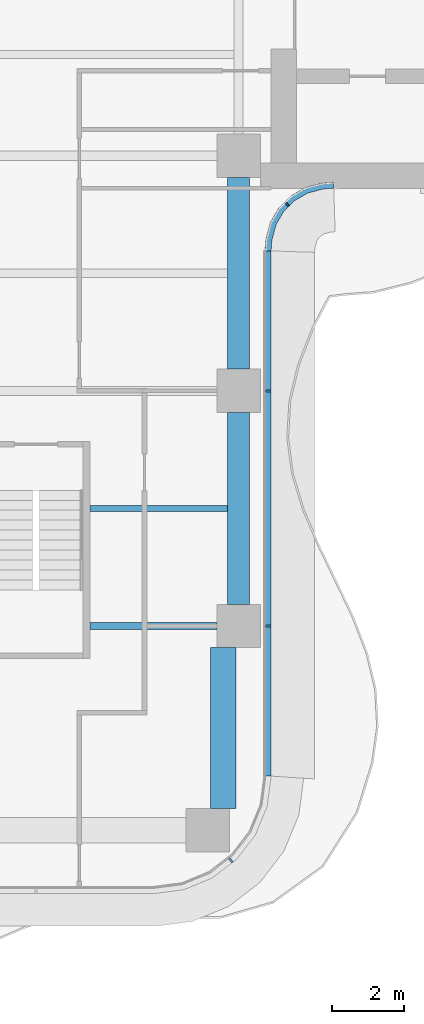
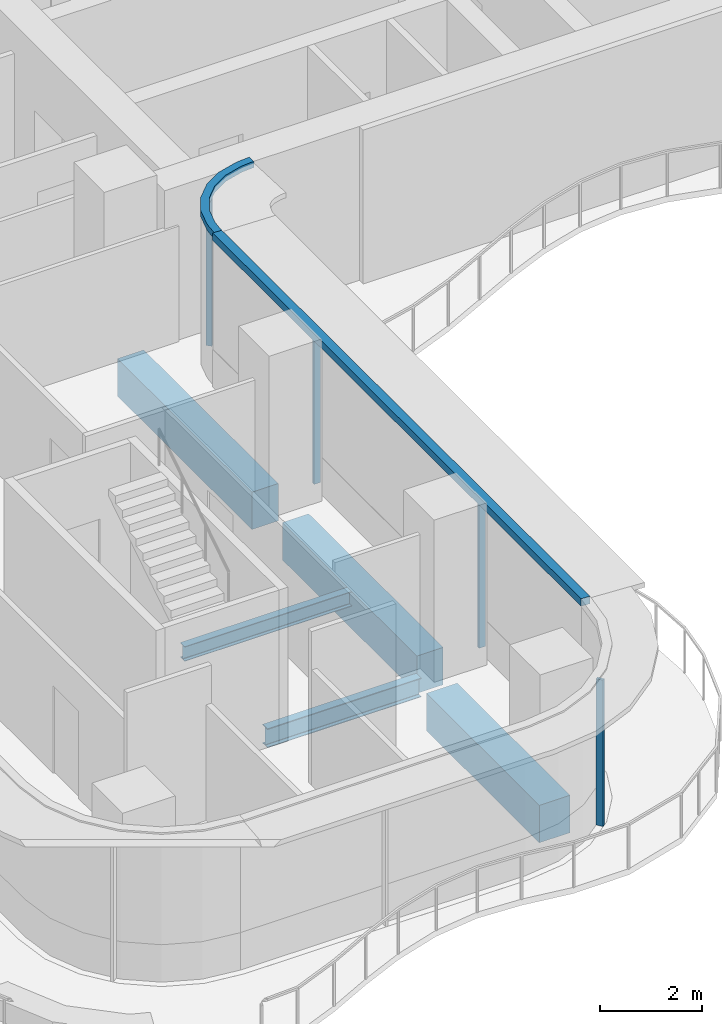
# One storey, part 5 of 17: 6 members, 5 beams, 3 elements without a shape of their own.
"""IFC4 building model written with IfcOpenShell, lengths in metres."""

import ifcopenshell
import ifcopenshell.guid

model = None  # the IFC model being written
_history = None  # IfcOwnerHistory: only IFC2X3 demands one
_inside = {}  # id of a spatial element -> (the spatial element, [elements in it])
_under = {}  # id of a project, library or spatial element -> (it, [spatial elements below it])
_declared = {}  # id of a project -> (the project, [libraries it declares])
_typed = {}  # id of a type object -> (the type object, [elements of that type])
_made_of = {}  # id of a material, layer set ... -> (it, [elements and type objects made of it])


def new_model(schema):
    """Start an empty IFC model of exactly this schema.

    Asked for "IFC4X3", IfcOpenShell would pick the latest addendum, in which some entities
    have other attributes; the version numbers below select the first issue.
    IFC2X3 requires an IfcOwnerHistory on every rooted entity: one is made here for all.
    """
    global model, _history
    if schema == "IFC4X3":
        model = ifcopenshell.file(schema_version=(4, 3, 0, 0))
    else:
        model = ifcopenshell.file(schema=schema)
    _inside.clear()
    _under.clear()
    _declared.clear()
    _typed.clear()
    _made_of.clear()
    _history = None
    if model.schema == "IFC2X3":
        org = make("IfcOrganization", Name="unknown")
        user = make(
            "IfcPersonAndOrganization",
            ThePerson=make("IfcPerson", FamilyName="unknown"),
            TheOrganization=org,
        )
        app = make(
            "IfcApplication",
            ApplicationDeveloper=org,
            Version="unknown",
            ApplicationFullName="unknown",
            ApplicationIdentifier="unknown",
        )
        _history = make(
            "IfcOwnerHistory",
            OwningUser=user,
            OwningApplication=app,
            ChangeAction="ADDED",
            CreationDate=0,
        )
    return model


def make(cls, **values):
    """One entity of the class cls with the attributes given. An attribute that is None is left unset."""
    return model.create_entity(
        cls, **{name: value for name, value in values.items() if value is not None}
    )


def rooted(cls, **values):
    """An entity with a GlobalId (a new one), such as an element, a storey or a relation."""
    return make(cls, GlobalId=ifcopenshell.guid.new(), OwnerHistory=_history, **values)


def si_unit(unit_type, name, prefix=None):
    """IfcSIUnit, for example si_unit("LENGTHUNIT", "METRE", prefix="MILLI")."""
    return make("IfcSIUnit", UnitType=unit_type, Prefix=prefix, Name=name)


def assignment(units):
    """IfcUnitAssignment: the units of a project."""
    return None if units is None else make("IfcUnitAssignment", Units=units)


def point(xyz):
    """IfcCartesianPoint."""
    return None if xyz is None else make("IfcCartesianPoint", Coordinates=xyz)


def direction(xyz):
    """IfcDirection."""
    return None if xyz is None else make("IfcDirection", DirectionRatios=xyz)


def frame(location, z_axis=None, x_axis=None):
    """IfcAxis2Placement3D, a coordinate frame: its origin and axes. An axis left out is left unset."""
    return make(
        "IfcAxis2Placement3D",
        Location=point(location),
        Axis=direction(z_axis),
        RefDirection=direction(x_axis),
    )


def frame_2d(location, x_axis=None):
    """IfcAxis2Placement2D, a coordinate frame in the plane: its origin and x axis."""
    return make(
        "IfcAxis2Placement2D", Location=point(location), RefDirection=direction(x_axis)
    )


def origin():
    """The frame at (0, 0, 0) with its axes left unset."""
    return frame((0.0, 0.0, 0.0))


def origin_2d():
    """The frame at (0, 0) in the plane with its x axis left unset."""
    return frame_2d((0.0, 0.0))


def place(relative_to, where):
    """IfcLocalPlacement: puts the frame where relative to a parent placement (None: the world)."""
    return make(
        "IfcLocalPlacement", PlacementRelTo=relative_to, RelativePlacement=where
    )


def context(
    kind, dimensions, precision=None, world=None, true_north=None, identifier=None
):
    """IfcGeometricRepresentationContext, for example the 3D "Model" context."""
    return make(
        "IfcGeometricRepresentationContext",
        ContextIdentifier=identifier,
        ContextType=kind,
        CoordinateSpaceDimension=dimensions,
        Precision=precision,
        WorldCoordinateSystem=world,
        TrueNorth=true_north,
    )


def subcontext(parent, identifier, kind, view, scale=None):
    """IfcGeometricRepresentationSubContext, for example "Body" below "Model"."""
    return make(
        "IfcGeometricRepresentationSubContext",
        ContextIdentifier=identifier,
        ContextType=kind,
        ParentContext=parent,
        TargetScale=scale,
        TargetView=view,
    )


def project(units=None, contexts=None):
    """IfcProject with its units and contexts."""
    return rooted(
        "IfcProject",
        Name="project",
        RepresentationContexts=contexts,
        UnitsInContext=assignment(units),
    )


def spatial(cls, under=None, at=None, **own):
    """A site, building, storey or space (cls), placed at a placement, below another one or the project."""
    s = rooted(cls, ObjectPlacement=at, **own)
    if under is not None:
        _under.setdefault(under.id(), (under, []))[1].append(s)
    return s


def polyline(points):
    """IfcPolyline through the points."""
    return make("IfcPolyline", Points=[point(p) for p in points])


def profile(cls, at=None, kind="AREA", **sizes):
    """A parametric profile (cls). Its sizes go by their IFC names, for example OverallWidth=200.0."""
    return make(cls, ProfileType=kind, Position=at, **sizes)


def rectangle(**sizes):
    """IfcRectangleProfileDef."""
    return profile("IfcRectangleProfileDef", **sizes)


def i_section(**sizes):
    """IfcIShapeProfileDef."""
    return profile("IfcIShapeProfileDef", **sizes)


def outline(outer, holes=None, kind="AREA"):
    """IfcArbitraryClosedProfileDef: a profile drawn as a closed curve; with holes, ...WithVoids."""
    if holes is None:
        return make("IfcArbitraryClosedProfileDef", ProfileType=kind, OuterCurve=outer)
    return make(
        "IfcArbitraryProfileDefWithVoids",
        ProfileType=kind,
        OuterCurve=outer,
        InnerCurves=holes,
    )


def extrude(swept, where, along, depth):
    """IfcExtrudedAreaSolid: the profile swept, set in the frame where, extruded along a direction by depth."""
    return make(
        "IfcExtrudedAreaSolid",
        SweptArea=swept,
        Position=where,
        ExtrudedDirection=direction(along),
        Depth=depth,
    )


def shape(context_of_items, identifier, shape_type, items):
    """IfcShapeRepresentation: the items that make up one representation, for example the "Body"."""
    return make(
        "IfcShapeRepresentation",
        ContextOfItems=context_of_items,
        RepresentationIdentifier=identifier,
        RepresentationType=shape_type,
        Items=items,
    )


def source(mapping_origin, context_of_items, identifier, shape_type, items):
    """IfcRepresentationMap: a shape defined once, which mapped items show again and again."""
    return make(
        "IfcRepresentationMap",
        MappingOrigin=mapping_origin,
        MappedRepresentation=shape(context_of_items, identifier, shape_type, items),
    )


def transform(
    local_origin,
    x_axis=None,
    y_axis=None,
    z_axis=None,
    scale=None,
    scale2=None,
    scale3=None,
    uniform=True,
):
    """IfcCartesianTransformationOperator3D, or its non-uniform kind. x_axis, y_axis, z_axis: its Axis1, 2, 3."""
    if uniform:
        return make(
            "IfcCartesianTransformationOperator3D",
            Axis1=direction(x_axis),
            Axis2=direction(y_axis),
            LocalOrigin=point(local_origin),
            Scale=scale,
            Axis3=direction(z_axis),
        )
    return make(
        "IfcCartesianTransformationOperator3DnonUniform",
        Axis1=direction(x_axis),
        Axis2=direction(y_axis),
        LocalOrigin=point(local_origin),
        Scale=scale,
        Axis3=direction(z_axis),
        Scale2=scale2,
        Scale3=scale3,
    )


def mapped(mapping_source, mapping_target):
    """IfcMappedItem: shows the shape of a source again, moved by a transform."""
    return make(
        "IfcMappedItem", MappingSource=mapping_source, MappingTarget=mapping_target
    )


def material(Name=None, Category=None):
    """IfcMaterial."""
    return make("IfcMaterial", Name=Name, Category=Category)


def layer(
    of_material, thickness, ventilated=None, Name=None, Category=None, Priority=None
):
    """IfcMaterialLayer: one layer of a wall or slab, of a material (None: an air gap)."""
    return make(
        "IfcMaterialLayer",
        Material=of_material,
        LayerThickness=thickness,
        IsVentilated=ventilated,
        Name=Name,
        Category=Category,
        Priority=Priority,
    )


def layer_set(layers, Name=None):
    """IfcMaterialLayerSet."""
    return make("IfcMaterialLayerSet", MaterialLayers=layers, LayerSetName=Name)


def material_profile(
    of_material, cross_section, Name=None, Category=None, Priority=None
):
    """IfcMaterialProfile: a cross section and its material."""
    return make(
        "IfcMaterialProfile",
        Name=Name,
        Material=of_material,
        Profile=cross_section,
        Priority=Priority,
        Category=Category,
    )


def profile_set(profiles, Name=None, composite=None):
    """IfcMaterialProfileSet."""
    return make(
        "IfcMaterialProfileSet",
        Name=Name,
        MaterialProfiles=profiles,
        CompositeProfile=composite,
    )


def made_of(thing, what):
    """Note that an element or type object is made of a material, layer set ...; save() writes the relation."""
    if what is not None:
        _made_of.setdefault(what.id(), (what, []))[1].append(thing)
    return thing


def type_object(cls, material=None, **own):
    """A type object (cls), such as IfcWallType, which elements share."""
    return made_of(rooted(cls, **own), material)


def element(
    cls,
    number,
    at=None,
    inside=None,
    cuts=None,
    type_object=None,
    material=None,
    context=None,
    identifier="Body",
    shape_type=None,
    held_by="IfcProductDefinitionShape",
    body=None,
    shapes=None,
    **own,
):
    """One element of the class cls, such as IfcWall. Its Tag is "e" and its number.

    at: its placement. inside: the storey or other place that contains it. cuts: it is an
    opening in that element (IfcRelVoidsElement). A single representation is given by context,
    identifier, shape_type and body (its items); several are given by shapes. held_by: the class
    of the entity that holds the representations. save() writes the other relations.
    """
    e = rooted(cls, Tag="e%d" % number, ObjectPlacement=at, **own)
    if body is not None:
        shapes = [shape(context, identifier, shape_type, body)]
    if shapes is not None:
        e.Representation = make(held_by, Representations=shapes)
    if inside is not None:
        _inside.setdefault(inside.id(), (inside, []))[1].append(e)
    if cuts is not None:
        rooted(
            "IfcRelVoidsElement", RelatingBuildingElement=cuts, RelatedOpeningElement=e
        )
    if type_object is not None:
        _typed.setdefault(type_object.id(), (type_object, []))[1].append(e)
    return made_of(e, material)


def aggregate(whole, parts):
    """IfcRelAggregates: a whole, such as a stair, and the parts it consists of."""
    return rooted("IfcRelAggregates", RelatingObject=whole, RelatedObjects=parts)


def save(model, path):
    """Write the relations noted so far, then the file.

    IfcRelAggregates (storeys below a building ...), IfcRelContainedInSpatialStructure (elements
    in a storey), IfcRelDefinesByType, IfcRelAssociatesMaterial and IfcRelDeclares: one each for
    every whole, place, type object, material and project.
    """
    for whole, parts in _under.values():
        aggregate(whole, parts)
    for where, things in _inside.values():
        rooted(
            "IfcRelContainedInSpatialStructure",
            RelatedElements=things,
            RelatingStructure=where,
        )
    for kind, things in _typed.values():
        rooted("IfcRelDefinesByType", RelatedObjects=things, RelatingType=kind)
    for what, things in _made_of.values():
        rooted("IfcRelAssociatesMaterial", RelatedObjects=things, RelatingMaterial=what)
    for by, libraries in _declared.values():
        rooted("IfcRelDeclares", RelatingContext=by, RelatedDefinitions=libraries)
    model.write(path)


model = new_model("IFC4")

# Units and contexts
model_context = context("Model", 3, precision=1e-05, world=origin(), true_north=direction((0.0, 1.0)))
body_context = subcontext(model_context, "Body", "Model", "MODEL_VIEW")
ifc_project = project(units=[si_unit("LENGTHUNIT", "METRE"), si_unit("AREAUNIT", "SQUARE_METRE"), si_unit("VOLUMEUNIT", "CUBIC_METRE"), si_unit("PLANEANGLEUNIT", "RADIAN"), si_unit("MASSUNIT", "GRAM", prefix="KILO")], contexts=[model_context])

# Site, building, storey
site_placement = place(None, origin())
site = spatial("IfcSite", under=ifc_project, at=site_placement, CompositionType="ELEMENT")
building_placement = place(site_placement, origin())
building = spatial("IfcBuilding", under=site, at=building_placement, Name="Trellis Farm Tower", CompositionType="ELEMENT")
storey_placement = place(building_placement, frame((0.0, 0.0, 173.699951171875)))
storey = spatial("IfcBuildingStorey", under=building, at=storey_placement, Name="L37", CompositionType="ELEMENT", Elevation=173.699951171875)

# Beams
ifc_material_1 = material(Name="Steel S355", Category="steel")
ifc_material_profile_1 = material_profile(ifc_material_1, i_section(OverallWidth=0.1904296875, OverallDepth=0.45703125, WebThickness=0.009033203125, FlangeThickness=0.014404296875, FilletRadius=0.01025390625, at=origin_2d()), Name="UB 457x191x74")
ifc_profile_set_1 = profile_set([ifc_material_profile_1], Name="Steel S355")
beam_type_1 = type_object("IfcBeamType", Name="UB 457x191x74", PredefinedType="BEAM", material=ifc_profile_set_1)
shared_shape_1 = source(origin(), body_context, "Body", "SweptSolid", [
    extrude(i_section(OverallWidth=0.1904296875, OverallDepth=0.45703125, WebThickness=0.009033203125, FlangeThickness=0.014404296875, FilletRadius=0.01025390625, at=origin_2d()), origin(), (0.0, 0.0, 1.0), 3.5),
])
beam_1_placement = place(storey_placement, frame((1.5, -18.60009765625, -0.428466796875), z_axis=(1.0, 0.0, 0.0), x_axis=(0.0, 1.0, 0.0)))
element("IfcBeam", 1, at=beam_1_placement, inside=storey, type_object=beam_type_1, Name="Girder", PredefinedType="BEAM", context=body_context, shape_type="MappedRepresentation", body=[
    mapped(shared_shape_1, transform((0.0, 0.0, 0.0))),
])
ifc_material_2 = material(Name="Concrete C60/75", Category="concrete")
ifc_material_profile_2 = material_profile(ifc_material_2, rectangle(XDim=0.60009765625, YDim=0.89990234375, at=origin_2d()), Name="RC spandrel beam 600x900 C60/75")
ifc_profile_set_2 = profile_set([ifc_material_profile_2], Name="Concrete C60/75")
beam_type_2 = type_object("IfcBeamType", Name="RC spandrel beam 600x900 C60/75", PredefinedType="SPANDREL", material=ifc_profile_set_2)
shared_shape_2 = source(origin(), body_context, "Body", "SweptSolid", [
    extrude(rectangle(XDim=0.60009765625, YDim=0.89990234375, at=origin_2d()), origin(), (0.0, 0.0, 1.0), 5.300048828125),
])
for number, where, z_axis, x_axis, name in (
    (2, (5.60009765625, -18.0, -0.64990234375), (0.0, 1.0, 0.0), (-1.0, 0.0, 0.0), "Girder"),
    (3, (5.60009765625, -11.5, -0.64990234375), (0.0, 1.0, 0.0), (-1.0, 0.0, 0.0), "Girder"),
):
    element("IfcBeam", number, at=place(storey_placement, frame(where, z_axis=z_axis, x_axis=x_axis)), inside=storey, type_object=beam_type_2, Name=name, PredefinedType="SPANDREL", context=body_context, shape_type="MappedRepresentation", body=[
        mapped(shared_shape_2, transform((0.0, 0.0, 0.0))),
    ])
ifc_material_profile_3 = material_profile(ifc_material_2, rectangle(XDim=0.699951171875, YDim=0.89990234375, at=origin_2d()), Name="RC spandrel beam 700x900 C60/75")
ifc_profile_set_3 = profile_set([ifc_material_profile_3], Name="Concrete C60/75")
beam_type_3 = type_object("IfcBeamType", Name="RC spandrel beam 700x900 C60/75", PredefinedType="SPANDREL", material=ifc_profile_set_3)
shared_shape_3 = source(origin(), body_context, "Body", "SweptSolid", [
    extrude(rectangle(XDim=0.699951171875, YDim=0.89990234375, at=origin_2d()), origin(), (0.0, 0.0, 1.0), 4.449951171875),
])
beam_2_placement = place(storey_placement, frame((5.175048828125, -23.64990234375, -0.64990234375), z_axis=(0.0, 1.0, 0.0), x_axis=(-1.0, 0.0, 0.0)))
element("IfcBeam", 4, at=beam_2_placement, inside=storey, type_object=beam_type_3, Name="Girder", PredefinedType="SPANDREL", context=body_context, shape_type="MappedRepresentation", body=[
    mapped(shared_shape_3, transform((0.0, 0.0, 0.0))),
])
ifc_material_profile_4 = material_profile(ifc_material_1, i_section(OverallWidth=0.17138671875, OverallDepth=0.35498046875, WebThickness=0.00732421875, FlangeThickness=0.011474609375, FilletRadius=0.01025390625, at=origin_2d()), Name="UB 356x171x51")
ifc_profile_set_4 = profile_set([ifc_material_profile_4], Name="Steel S355")
beam_type_4 = type_object("IfcBeamType", Name="UB 356x171x51 joist", PredefinedType="JOIST", material=ifc_profile_set_4)
shared_shape_4 = source(origin(), body_context, "Body", "SweptSolid", [
    extrude(i_section(OverallWidth=0.17138671875, OverallDepth=0.35498046875, WebThickness=0.00732421875, FlangeThickness=0.011474609375, FilletRadius=0.01025390625, at=origin_2d()), origin(), (0.0, 0.0, 1.0), 3.800048828125),
])
beam_3_placement = place(storey_placement, frame((1.5, -15.35009765625, -0.37744140625), z_axis=(1.0, 0.0, 0.0), x_axis=(0.0, 1.0, 0.0)))
element("IfcBeam", 5, at=beam_3_placement, inside=storey, type_object=beam_type_4, Name="Floor beam", PredefinedType="JOIST", context=body_context, shape_type="MappedRepresentation", body=[
    mapped(shared_shape_4, transform((0.0, 0.0, 0.0))),
])

# Curtain wall, member
ifc_material_3 = material(Name="Aluminium and glass curtain wall", Category="aluminium")
ifc_layer_1 = layer(ifc_material_3, 0.166015625)
ifc_layer_set_1 = layer_set([ifc_layer_1], Name="WINTER GARDEN CURTAIN WALL CW3")
curtain_wall_type_1 = type_object("IfcCurtainWallType", Name="WINTER GARDEN CURTAIN WALL CW3", PredefinedType="NOTDEFINED", material=ifc_layer_set_1)
placement = place(storey_placement, origin())
curtain_wall_1 = element("IfcCurtainWall", 6, at=placement, inside=storey, type_object=curtain_wall_type_1, Name="CW3 002", PredefinedType="NOTDEFINED")
ifc_material_4 = material(Name="Aluminium extrusion 6063-T6", Category="aluminium")
ifc_layer_2 = layer(ifc_material_4, 0.169921875)
ifc_layer_set_2 = layer_set([ifc_layer_2], Name="Aluminium extrusion 6063-T6")
member_type_1 = type_object("IfcMemberType", Name="CW3 TRANSOM 170x150", PredefinedType="USERDEFINED", material=ifc_layer_set_2)
shared_shape_5 = source(origin(), body_context, "Body", "SweptSolid", [
    extrude(outline(polyline([(6.5, -8.2314453125), (6.513916015625, -8.01953125), (6.527587890625, -7.91552734375), (6.63671875, -7.508544921875), (6.846923828125, -7.144287109375), (7.144287109375, -6.846923828125), (7.508544921875, -6.63671875), (7.91552734375, -6.527587890625), (8.01953125, -6.513916015625), (8.2314453125, -6.5), (8.225830078125, -6.330078125), (8.0029296875, -6.3447265625), (7.88232421875, -6.360595703125), (7.44287109375, -6.478271484375), (7.0400390625, -6.7109375), (6.7109375, -7.0400390625), (6.478271484375, -7.44287109375), (6.360595703125, -7.88232421875), (6.3447265625, -8.0029296875), (6.330078125, -8.225830078125), (6.5, -8.2314453125)])), origin(), (0.0, 0.0, 1.0), 0.14990234375),
])
member_1_placement = place(storey_placement, frame((0.0, 0.0, 3.550048828125)))
member_1 = element("IfcMember", 7, at=member_1_placement, type_object=member_type_1, Name="TR3 002", ObjectType="TRANSOM", PredefinedType="USERDEFINED", context=body_context, shape_type="MappedRepresentation", body=[
    mapped(shared_shape_5, transform((0.0, 0.0, 0.0))),
])

ifc_layer_3 = layer(ifc_material_3, 0.18994140625)
ifc_layer_set_3 = layer_set([ifc_layer_3], Name="RIBBON CURTAIN WALL CW1")
curtain_wall_type_2 = type_object("IfcCurtainWallType", Name="RIBBON CURTAIN WALL CW1", PredefinedType="NOTDEFINED", material=ifc_layer_set_3)
curtain_wall_2 = element("IfcCurtainWall", 8, at=placement, inside=storey, type_object=curtain_wall_type_2, Name="CW1 004", PredefinedType="NOTDEFINED")
ifc_layer_4 = layer(ifc_material_4, 0.199951171875)
ifc_layer_set_4 = layer_set([ifc_layer_4], Name="Aluminium extrusion 6063-T6")
member_type_2 = type_object("IfcMemberType", Name="CW1 TRANSOM 200x180", PredefinedType="USERDEFINED", material=ifc_layer_set_4)
shared_shape_6 = source(origin(), body_context, "Body", "SweptSolid", [
    extrude(outline(polyline([(6.5, -22.75), (6.5, -8.2314453125), (6.300048828125, -8.224853515625), (6.300048828125, -22.73681640625), (6.5, -22.75)])), origin(), (0.0, 0.0, 1.0), 0.179931640625),
])
member_2_placement = place(storey_placement, frame((0.0, 0.0, 3.52001953125)))
member_2 = element("IfcMember", 9, at=member_2_placement, type_object=member_type_2, Name="TR1 004", ObjectType="TRANSOM", PredefinedType="USERDEFINED", context=body_context, shape_type="MappedRepresentation", body=[
    mapped(shared_shape_6, transform((0.0, 0.0, 0.0))),
])

curtain_wall_3 = element("IfcCurtainWall", 10, at=placement, inside=storey, type_object=curtain_wall_type_2, Name="CW1 003", PredefinedType="NOTDEFINED")
ifc_material_profile_5 = material_profile(ifc_material_4, rectangle(XDim=0.06005859375, YDim=0.14990234375, at=origin_2d()), Name="MULLION 60x150")
ifc_profile_set_5 = profile_set([ifc_material_profile_5], Name="Aluminium extrusion 6063-T6")
member_type_3 = type_object("IfcMemberType", Name="CW1 MULLION 60x150", PredefinedType="MULLION", material=ifc_profile_set_5)
shared_shape_7 = source(origin(), body_context, "Body", "SweptSolid", [
    extrude(rectangle(XDim=0.06005859375, YDim=0.14990234375, at=origin_2d()), origin(), (0.0, 0.0, 1.0), 3.52001953125),
])
member_3_placement = place(storey_placement, frame((5.385498046875, -25.078369140625, 0.0), z_axis=(0.0, 0.0, 1.0), x_axis=(0.793353340291, 0.608761429009, 0.0)))
member_3 = element("IfcMember", 11, at=member_3_placement, type_object=member_type_3, Name="MU1 003-02", PredefinedType="MULLION", context=body_context, shape_type="MappedRepresentation", body=[
    mapped(shared_shape_7, transform((0.0, 0.0, 0.0))),
])
aggregate(curtain_wall_3, [member_3])

# Member
member_4_placement = place(storey_placement, frame((6.425048828125, -18.60009765625, 0.0), z_axis=(0.0, 0.0, 1.0), x_axis=(0.0, 1.0, 0.0)))
member_4 = element("IfcMember", 12, at=member_4_placement, type_object=member_type_3, Name="MU1 004-01", PredefinedType="MULLION", context=body_context, shape_type="MappedRepresentation", body=[
    mapped(shared_shape_7, transform((0.0, 0.0, 0.0))),
])

member_5_placement = place(storey_placement, frame((6.425048828125, -12.10009765625, 0.0), z_axis=(0.0, 0.0, 1.0), x_axis=(0.0, 1.0, 0.0)))
member_5 = element("IfcMember", 13, at=member_5_placement, type_object=member_type_3, Name="MU1 004-02", PredefinedType="MULLION", context=body_context, shape_type="MappedRepresentation", body=[
    mapped(shared_shape_7, transform((0.0, 0.0, 0.0))),
])

aggregate(curtain_wall_2, [member_4, member_5, member_2])

ifc_material_profile_6 = material_profile(ifc_material_4, rectangle(XDim=0.050048828125, YDim=0.1201171875, at=origin_2d()), Name="MULLION 50x120")
ifc_profile_set_6 = profile_set([ifc_material_profile_6], Name="Aluminium extrusion 6063-T6")
member_type_4 = type_object("IfcMemberType", Name="CW3 MULLION 50x120", PredefinedType="MULLION", material=ifc_profile_set_6)
shared_shape_8 = source(origin(), body_context, "Body", "SweptSolid", [
    extrude(rectangle(XDim=0.050048828125, YDim=0.1201171875, at=origin_2d()), origin(), (0.0, 0.0, 1.0), 3.550048828125),
])
member_6_placement = place(storey_placement, frame((6.953125, -6.953125, 0.0), z_axis=(0.0, 0.0, 1.0), x_axis=(0.707106781187, 0.707106781187, 0.0)))
member_6 = element("IfcMember", 14, at=member_6_placement, type_object=member_type_4, Name="MU3 002-01", PredefinedType="MULLION", context=body_context, shape_type="MappedRepresentation", body=[
    mapped(shared_shape_8, transform((0.0, 0.0, 0.0))),
])

aggregate(curtain_wall_1, [member_6, member_1])

save(model, "model.ifc")
